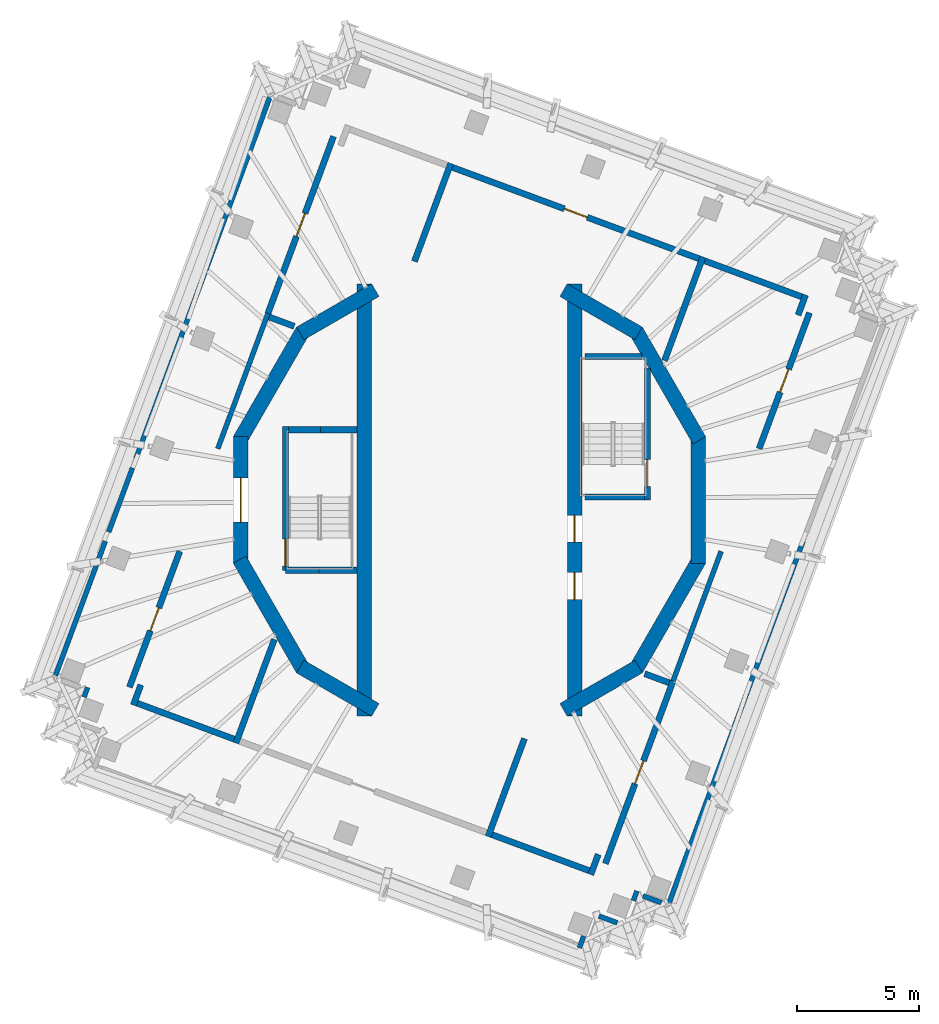
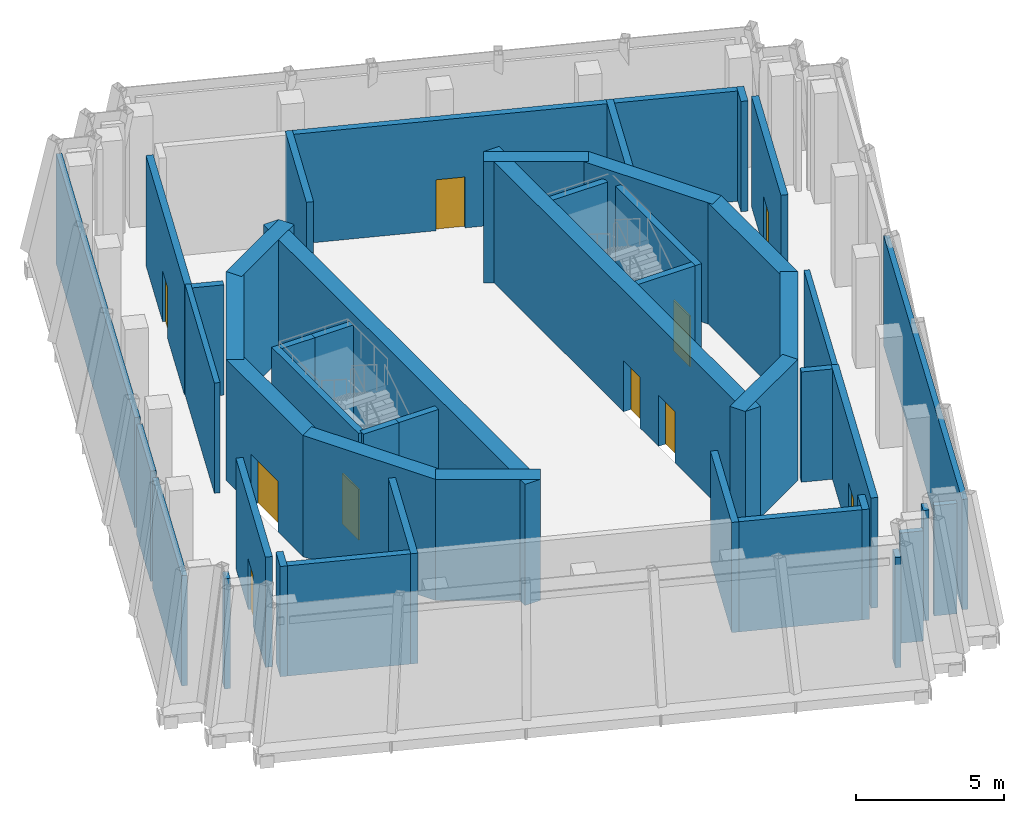
# One storey, part 5 of 13: 48 walls, 10 doors, 10 openings.
"""IFC4 building model written with IfcOpenShell, lengths in metres."""

from ifc_helpers import new_model, si_unit, direction, frame, frame_2d, origin, place, context, subcontext, project, spatial, rectangle, extrude, material, layer, layer_set, type_object, element, fill, save


model = new_model("IFC4")

# Units and contexts
model_context = context("Model", 3, precision=1e-05, world=origin(), true_north=direction((0.0, 1.0)))
body_context = subcontext(model_context, "Body", "Model", "MODEL_VIEW")
ifc_project = project(units=[si_unit("LENGTHUNIT", "METRE"), si_unit("AREAUNIT", "SQUARE_METRE"), si_unit("VOLUMEUNIT", "CUBIC_METRE"), si_unit("PLANEANGLEUNIT", "RADIAN"), si_unit("MASSUNIT", "GRAM", prefix="KILO")], contexts=[model_context])

# Site, building, storey
site_placement = place(None, origin())
site = spatial("IfcSite", under=ifc_project, at=site_placement, CompositionType="ELEMENT")
building_placement = place(site_placement, origin())
building = spatial("IfcBuilding", under=site, at=building_placement, Name="Cantera Rosa Tower", CompositionType="ELEMENT")
storey_placement = place(building_placement, frame((0.0, 0.0, 350.699951171875)))
storey = spatial("IfcBuildingStorey", under=building, at=storey_placement, Name="L79", CompositionType="ELEMENT", Elevation=350.699951171875)

# Walls
ifc_material_1 = material(Name="Masonry blockwork", Category="masonry")
ifc_layer_1 = layer(ifc_material_1, 0.199951171875)
ifc_layer_set_1 = layer_set([ifc_layer_1], Name="Blockwork partition 200")
wall_type_1 = type_object("IfcWallType", Name="Blockwork partition 200", PredefinedType="PARTITIONING", material=ifc_layer_set_1)
wall_1_placement = place(storey_placement, frame((-10.29150390625, 2.10009765625, 0.0), z_axis=(0.0, 0.0, 1.0), x_axis=(0.347467899851, 0.93769187827, 0.0)))
element("IfcWall", 1, at=wall_1_placement, inside=storey, type_object=wall_type_1, Name="Partition L79-9", PredefinedType="PARTITIONING", context=body_context, shape_type="SweptSolid", body=[
    extrude(rectangle(XDim=5.903564453125, YDim=0.199951171875, at=frame_2d((2.95166015625, 0.0))), origin(), (0.0, 0.0, 1.0), 4.550048828125),
])
wall_2_placement = place(storey_placement, frame((8.326904296875, -7.4013671875, 0.0), z_axis=(0.0, 0.0, 1.0), x_axis=(0.34749578157, 0.937681546044, 0.0)))
element("IfcWall", 2, at=wall_2_placement, inside=storey, type_object=wall_type_1, Name="Partition L79-21", PredefinedType="PARTITIONING", context=body_context, shape_type="SweptSolid", body=[
    extrude(rectangle(XDim=5.653564453125, YDim=0.199951171875, at=frame_2d((2.82666015625, 0.0))), origin(), (0.0, 0.0, 1.0), 4.550048828125),
])
wall_3_placement = place(storey_placement, frame((6.047607421875, -17.2939453125, 0.0), z_axis=(0.0, 0.0, 1.0), x_axis=(-0.937763484234, 0.347274599759, 0.0)))
element("IfcWall", 3, at=wall_3_placement, inside=storey, type_object=wall_type_1, Name="Partition L79-23", PredefinedType="PARTITIONING", context=body_context, shape_type="SweptSolid", body=[
    extrude(rectangle(XDim=0.800048828125, YDim=0.199951171875, at=frame_2d((0.39990234375, 0.0))), origin(), (0.0, 0.0, 1.0), 4.550048828125),
])
wall_4_placement = place(storey_placement, frame((4.494873046875, -18.318359375, 0.0), z_axis=(0.0, 0.0, 1.0), x_axis=(0.347391322771, 0.937720250855, 0.0)))
element("IfcWall", 4, at=wall_4_placement, inside=storey, type_object=wall_type_1, Name="Partition L79-25", PredefinedType="PARTITIONING", context=body_context, shape_type="SweptSolid", body=[
    extrude(rectangle(XDim=0.5166015625, YDim=0.199951171875, at=frame_2d((0.25830078125, 0.0))), origin(), (0.0, 0.0, 1.0), 4.550048828125),
])
wall_5_placement = place(storey_placement, frame((-15.76318359375, -8.060791015625, 0.0), z_axis=(0.0, 0.0, 1.0), x_axis=(0.347371017887, 0.937727772827, 0.0)))
element("IfcWall", 5, at=wall_5_placement, inside=storey, type_object=wall_type_1, Name="Partition L79-30", PredefinedType="PARTITIONING", context=body_context, shape_type="SweptSolid", body=[
    extrude(rectangle(XDim=0.4208984375, YDim=0.199951171875, at=frame_2d((0.21044921875, 0.0))), origin(), (0.0, 0.0, 1.0), 4.550048828125),
])
wall_6_placement = place(storey_placement, frame((7.8466796875, -16.4677734375, 0.0), z_axis=(0.0, 0.0, 1.0), x_axis=(-0.93762720555, 0.34764237862, 0.0)))
element("IfcWall", 6, at=wall_6_placement, inside=storey, type_object=wall_type_1, Name="Partition L79-32", PredefinedType="PARTITIONING", context=body_context, shape_type="SweptSolid", body=[
    extrude(rectangle(XDim=0.7998046875, YDim=0.199951171875, at=frame_2d((0.39990234375, 0.0))), origin(), (0.0, 0.0, 1.0), 4.550048828125),
])
wall_7_placement = place(storey_placement, frame((-16.9296875, -7.1796875, 0.0), z_axis=(0.0, 0.0, 1.0), x_axis=(0.347466399837, 0.937692434109, 0.0)))
element("IfcWall", 7, at=wall_7_placement, inside=storey, type_object=wall_type_1, Name="Partition L79-34", PredefinedType="PARTITIONING", context=body_context, shape_type="SweptSolid", body=[
    extrude(rectangle(XDim=5.857177734375, YDim=0.199951171875, at=frame_2d((2.9287109375, 0.0))), origin(), (0.0, 0.0, 1.0), 4.550048828125),
])
wall_8_placement = place(storey_placement, frame((-14.755615234375, -1.3125, 0.0), z_axis=(0.0, 0.0, 1.0), x_axis=(0.347527372163, 0.937669838268, 0.0)))
element("IfcWall", 8, at=wall_8_placement, inside=storey, type_object=wall_type_1, Name="Partition L79-35", PredefinedType="PARTITIONING", context=body_context, shape_type="SweptSolid", body=[
    extrude(rectangle(XDim=2.799560546875, YDim=0.199951171875, at=frame_2d((1.39990234375, 0.0))), origin(), (0.0, 0.0, 1.0), 4.550048828125),
])
wall_9_placement = place(storey_placement, frame((-13.643798828125, 1.6875, 0.0), z_axis=(0.0, 0.0, 1.0), x_axis=(0.347475662901, 0.937689001584, 0.0)))
element("IfcWall", 9, at=wall_9_placement, inside=storey, type_object=wall_type_1, Name="Partition L79-36", PredefinedType="PARTITIONING", context=body_context, shape_type="SweptSolid", body=[
    extrude(rectangle(XDim=15.773681640625, YDim=0.199951171875, at=frame_2d((7.88671875, 0.0))), origin(), (0.0, 0.0, 1.0), 4.550048828125),
])
wall_10_placement = place(storey_placement, frame((6.703857421875, -16.386474609375, 0.0), z_axis=(0.0, 0.0, 1.0), x_axis=(0.347371017887, 0.937727772827, 0.0)))
element("IfcWall", 10, at=wall_10_placement, inside=storey, type_object=wall_type_1, Name="Partition L79-42", PredefinedType="PARTITIONING", context=body_context, shape_type="SweptSolid", body=[
    extrude(rectangle(XDim=0.4208984375, YDim=0.199951171875, at=frame_2d((0.21044921875, 0.0))), origin(), (0.0, 0.0, 1.0), 4.550048828125),
])
wall_11_placement = place(storey_placement, frame((8.162841796875, -16.478271484375, 0.0), z_axis=(0.0, 0.0, 1.0), x_axis=(0.347475662901, 0.937689001584, 0.0)))
element("IfcWall", 11, at=wall_11_placement, inside=storey, type_object=wall_type_1, Name="Partition L79-44", PredefinedType="PARTITIONING", context=body_context, shape_type="SweptSolid", body=[
    extrude(rectangle(XDim=15.773681640625, YDim=0.199951171875, at=frame_2d((7.88671875, 0.0))), origin(), (0.0, 0.0, 1.0), 4.550048828125),
])
ifc_material_2 = material(Name="Masonry blockwork", Category="masonry")
ifc_layer_2 = layer(ifc_material_2, 0.25)
ifc_layer_set_2 = layer_set([ifc_layer_2], Name="Fire-rated external wall 250")
wall_type_2 = type_object("IfcWallType", Name="Fire-rated external wall 250", PredefinedType="PARTITIONING", material=ifc_layer_set_2)
wall_12_placement = place(storey_placement, frame((-7.1669921875, 7.104736328125, 0.0), z_axis=(0.0, 0.0, 1.0), x_axis=(-0.93763801142, 0.347613232689, 0.0)))
element("IfcWall", 12, at=wall_12_placement, inside=storey, type_object=wall_type_2, Name="Fire wall L79-11", PredefinedType="PARTITIONING", context=body_context, shape_type="SweptSolid", body=[
    extrude(rectangle(XDim=1.0908203125, YDim=0.25, at=frame_2d((0.54541015625, 0.0))), origin(), (0.0, 0.0, 1.0), 4.550048828125),
])
wall_13_placement = place(storey_placement, frame((8.16650390625, -7.47509765625, 0.0), z_axis=(0.0, 0.0, 1.0), x_axis=(-0.93769625556, 0.347456086879, 0.0)))
element("IfcWall", 13, at=wall_13_placement, inside=storey, type_object=wall_type_2, Name="Fire wall L79-19", PredefinedType="PARTITIONING", context=body_context, shape_type="SweptSolid", body=[
    extrude(rectangle(XDim=1.06591796875, YDim=0.25, at=frame_2d((0.532958984375, 0.0))), origin(), (0.0, 0.0, 1.0), 4.550048828125),
])
ifc_material_3 = material(Name="Masonry blockwork", Category="masonry")
ifc_layer_3 = layer(ifc_material_3, 0.25)
ifc_layer_set_3 = layer_set([ifc_layer_3], Name="Fire-rated wall 250")
wall_type_3 = type_object("IfcWallType", Name="Fire-rated wall 250", PredefinedType="PARTITIONING", material=ifc_layer_set_3)
wall_14_placement = place(storey_placement, frame((-9.54931640625, -9.941162109375, 0.0), z_axis=(0.0, 0.0, 1.0), x_axis=(0.347470822066, 0.937690795419, 0.0)))
element("IfcWall", 14, at=wall_14_placement, inside=storey, type_object=wall_type_3, Name="Fire wall L79-1", PredefinedType="PARTITIONING", context=body_context, shape_type="SweptSolid", body=[
    extrude(rectangle(XDim=4.522705078125, YDim=0.25, at=frame_2d((2.26123046875, 0.0))), origin(), (0.0, 0.0, 1.0), 4.550048828125),
])
wall_15_placement = place(storey_placement, frame((-2.2490234375, 9.75927734375, 0.0), z_axis=(0.0, 0.0, 1.0), x_axis=(0.34749310771, 0.937682536946, 0.0)))
element("IfcWall", 15, at=wall_15_placement, inside=storey, type_object=wall_type_3, Name="Fire wall L79-2", PredefinedType="PARTITIONING", context=body_context, shape_type="SweptSolid", body=[
    extrude(rectangle(XDim=4.270263671875, YDim=0.25, at=frame_2d((2.13525390625, 0.0))), origin(), (0.0, 0.0, 1.0), 4.550048828125),
])
for number, where, z_axis, x_axis, name in (
    (16, (4.887939453125, -15.157958984375, 0.0), (0.0, 0.0, 1.0), (-0.937687413065, 0.347479949607, 0.0), "Fire wall L79-3"),
    (17, (-9.623291015625, -9.780517578125, 0.0), (0.0, 0.0, 1.0), (-0.937687413065, 0.347479949607, 0.0), "Fire wall L79-5"),
):
    element("IfcWall", number, at=place(storey_placement, frame(where, z_axis=z_axis, x_axis=x_axis)), inside=storey, type_object=wall_type_3, Name=name, PredefinedType="PARTITIONING", context=body_context, shape_type="SweptSolid", body=[
        extrude(rectangle(XDim=4.225341796875, YDim=0.25, at=frame_2d((2.11279296875, 0.0))), origin(), (0.0, 0.0, 1.0), 4.550048828125),
    ])
wall_16_placement = place(storey_placement, frame((-13.74609375, -8.385986328125, 0.0), z_axis=(0.0, 0.0, 1.0), x_axis=(0.34746813681, 0.937691790463, 0.0)))
element("IfcWall", 18, at=wall_16_placement, inside=storey, type_object=wall_type_3, Name="Fire wall L79-6", PredefinedType="PARTITIONING", context=body_context, shape_type="SweptSolid", body=[
    extrude(rectangle(XDim=0.87890625, YDim=0.25, at=frame_2d((0.439453125, 0.0))), origin(), (0.0, 0.0, 1.0), 4.550048828125),
])

# Wall, opening, door
wall_17_placement = place(storey_placement, frame((-13.90673828125, -7.655517578125, 0.0), z_axis=(0.0, 0.0, 1.0), x_axis=(0.347503585526, 0.937678653936, 0.0)))
wall_17 = element("IfcWall", 19, at=wall_17_placement, inside=storey, type_object=wall_type_3, Name="Fire wall L79-8", PredefinedType="PARTITIONING", context=body_context, shape_type="SweptSolid", body=[
    extrude(rectangle(XDim=5.924560546875, YDim=0.25, at=frame_2d((2.96240234375, 0.0))), origin(), (0.0, 0.0, 1.0), 4.550048828125),
])
opening_1_placement = place(wall_17_placement, frame((2.46240234375, 0.0, 0.0)))
opening_1 = element("IfcOpeningElement", 20, at=opening_1_placement, cuts=wall_17, Name="Opening L79-001", PredefinedType="OPENING", context=body_context, shape_type="SweptSolid", body=[
    extrude(rectangle(XDim=1.0, YDim=2.10009765625, at=frame_2d((0.5, 1.050048828125))), frame((0.0, 0.135009765625, 0.0), z_axis=(0.0, -1.0, 0.0), x_axis=(1.0, 0.0, 0.0)), (0.0, 0.0, 1.0), 0.27001953125),
])
ifc_material_4 = material(Name="Steel S355J2 (EN 10025-2)", Category="steel")
door_type_1 = type_object("IfcDoorType", Name="Fire door 1000x2100", OperationType="NOTDEFINED", PredefinedType="DOOR", material=ifc_material_4)
door_1_placement = place(opening_1_placement, origin())
door_1 = element("IfcDoor", 21, at=door_1_placement, inside=storey, type_object=door_type_1, Name="Door L79-001", OverallHeight=2.10009765625, OverallWidth=1.0, PredefinedType="DOOR", context=body_context, shape_type="SweptSolid", body=[
    extrude(rectangle(XDim=1.0, YDim=2.10009765625, at=frame_2d((0.5, 1.050048828125))), frame((0.0, 0.02490234375, 0.0), z_axis=(0.0, -1.0, 0.0), x_axis=(1.0, 0.0, 0.0)), (0.0, 0.0, 1.0), 0.050048828125),
])
fill(opening_1, door_1)

wall_18_placement = place(storey_placement, frame((-8.240234375, 7.6357421875, 0.0), z_axis=(0.0, 0.0, 1.0), x_axis=(0.347489575376, 0.937683845976, 0.0)))
wall_18 = element("IfcWall", 22, at=wall_18_placement, inside=storey, type_object=wall_type_3, Name="Fire wall L79-10", PredefinedType="PARTITIONING", context=body_context, shape_type="SweptSolid", body=[
    extrude(rectangle(XDim=7.71435546875, YDim=0.25, at=frame_2d((3.857177734375, 0.0))), origin(), (0.0, 0.0, 1.0), 4.550048828125),
])
opening_2_placement = place(wall_18_placement, frame((3.357177734375, 0.0, 0.0)))
opening_2 = element("IfcOpeningElement", 23, at=opening_2_placement, cuts=wall_18, Name="Opening L79-002", PredefinedType="OPENING", context=body_context, shape_type="SweptSolid", body=[
    extrude(rectangle(XDim=1.0, YDim=2.10009765625, at=frame_2d((0.5, 1.050048828125))), frame((0.0, 0.135009765625, 0.0), z_axis=(0.0, -1.0, 0.0), x_axis=(1.0, 0.0, 0.0)), (0.0, 0.0, 1.0), 0.27001953125),
])
door_2_placement = place(opening_2_placement, origin())
door_2 = element("IfcDoor", 24, at=door_2_placement, inside=storey, type_object=door_type_1, Name="Door L79-002", OverallHeight=2.10009765625, OverallWidth=1.0, PredefinedType="DOOR", context=body_context, shape_type="SweptSolid", body=[
    extrude(rectangle(XDim=1.0, YDim=2.10009765625, at=frame_2d((0.5, 1.050048828125))), frame((0.0, 0.02490234375, 0.0), z_axis=(0.0, -1.0, 0.0), x_axis=(1.0, 0.0, 0.0)), (0.0, 0.0, 1.0), 0.050048828125),
])
fill(opening_2, door_2)

# Wall
wall_19_placement = place(storey_placement, frame((13.58544921875, 8.312255859375, 0.0), z_axis=(0.0, 0.0, 1.0), x_axis=(-0.937687413065, 0.347479949607, 0.0)))
element("IfcWall", 25, at=wall_19_placement, inside=storey, type_object=wall_type_3, Name="Fire wall L79-12", PredefinedType="PARTITIONING", context=body_context, shape_type="SweptSolid", body=[
    extrude(rectangle(XDim=4.225341796875, YDim=0.25, at=frame_2d((2.11279296875, 0.0))), origin(), (0.0, 0.0, 1.0), 4.550048828125),
])

# Wall, opening, door
wall_20_placement = place(storey_placement, frame((9.388916015625, 9.867431640625, 0.0), z_axis=(0.0, 0.0, 1.0), x_axis=(-0.937691218406, 0.347469680583, 0.0)))
wall_20 = element("IfcWall", 26, at=wall_20_placement, inside=storey, type_object=wall_type_3, Name="Fire wall L79-13", PredefinedType="PARTITIONING", context=body_context, shape_type="SweptSolid", body=[
    extrude(rectangle(XDim=10.750244140625, YDim=0.25, at=frame_2d((5.375, 0.0))), origin(), (0.0, 0.0, 1.0), 4.550048828125),
])
opening_3_placement = place(wall_20_placement, frame((4.875, 0.0, 0.0)))
opening_3 = element("IfcOpeningElement", 27, at=opening_3_placement, cuts=wall_20, Name="Opening L79-003", PredefinedType="OPENING", context=body_context, shape_type="SweptSolid", body=[
    extrude(rectangle(XDim=1.0, YDim=2.10009765625, at=frame_2d((0.5, 1.050048828125))), frame((0.0, 0.135009765625, 0.0), z_axis=(0.0, -1.0, 0.0), x_axis=(1.0, 0.0, 0.0)), (0.0, 0.0, 1.0), 0.27001953125),
])
door_3_placement = place(opening_3_placement, origin())
door_3 = element("IfcDoor", 28, at=door_3_placement, inside=storey, type_object=door_type_1, Name="Door L79-003", OverallHeight=2.10009765625, OverallWidth=1.0, PredefinedType="DOOR", context=body_context, shape_type="SweptSolid", body=[
    extrude(rectangle(XDim=1.0, YDim=2.10009765625, at=frame_2d((0.5, 1.050048828125))), frame((0.0, 0.02490234375, 0.0), z_axis=(0.0, -1.0, 0.0), x_axis=(1.0, 0.0, 0.0)), (0.0, 0.0, 1.0), 0.050048828125),
])
fill(opening_3, door_3)

# Walls
wall_21_placement = place(storey_placement, frame((0.76513671875, -13.763427734375, 0.0), z_axis=(0.0, 0.0, 1.0), x_axis=(0.34749310771, 0.937682536946, 0.0)))
element("IfcWall", 29, at=wall_21_placement, inside=storey, type_object=wall_type_3, Name="Fire wall L79-15", PredefinedType="PARTITIONING", context=body_context, shape_type="SweptSolid", body=[
    extrude(rectangle(XDim=4.270263671875, YDim=0.25, at=frame_2d((2.13525390625, 0.0))), origin(), (0.0, 0.0, 1.0), 4.550048828125),
])
wall_22_placement = place(storey_placement, frame((7.977783203125, 5.7001953125, 0.0), z_axis=(0.0, 0.0, 1.0), x_axis=(0.347470822066, 0.937690795419, 0.0)))
element("IfcWall", 30, at=wall_22_placement, inside=storey, type_object=wall_type_3, Name="Fire wall L79-16", PredefinedType="PARTITIONING", context=body_context, shape_type="SweptSolid", body=[
    extrude(rectangle(XDim=4.522705078125, YDim=0.25, at=frame_2d((2.26123046875, 0.0))), origin(), (0.0, 0.0, 1.0), 4.550048828125),
])
for number, where, z_axis, x_axis, name in (
    (31, (4.961669921875, -15.318603515625, 0.0), (0.0, 0.0, 1.0), (0.34746813681, 0.937691790463, 0.0), "Fire wall L79-17"),
    (32, (13.440673828125, 7.561767578125, 0.0), (0.0, 0.0, 1.0), (0.34746813681, 0.937691790463, 0.0), "Fire wall L79-18"),
):
    element("IfcWall", number, at=place(storey_placement, frame(where, z_axis=z_axis, x_axis=x_axis)), inside=storey, type_object=wall_type_3, Name=name, PredefinedType="PARTITIONING", context=body_context, shape_type="SweptSolid", body=[
        extrude(rectangle(XDim=0.87890625, YDim=0.25, at=frame_2d((0.439453125, 0.0))), origin(), (0.0, 0.0, 1.0), 4.550048828125),
    ])

# Wall, opening, door
wall_23_placement = place(storey_placement, frame((5.5595703125, -14.869384765625, 0.0), z_axis=(0.0, 0.0, 1.0), x_axis=(0.347469102856, 0.937691432488, 0.0)))
wall_23 = element("IfcWall", 33, at=wall_23_placement, inside=storey, type_object=wall_type_3, Name="Fire wall L79-20", PredefinedType="PARTITIONING", context=body_context, shape_type="SweptSolid", body=[
    extrude(rectangle(XDim=7.96435546875, YDim=0.25, at=frame_2d((3.982177734375, 0.0))), origin(), (0.0, 0.0, 1.0), 4.550048828125),
])
opening_4_placement = place(wall_23_placement, frame((3.482177734375, 0.0, 0.0)))
opening_4 = element("IfcOpeningElement", 34, at=opening_4_placement, cuts=wall_23, Name="Opening L79-004", PredefinedType="OPENING", context=body_context, shape_type="SweptSolid", body=[
    extrude(rectangle(XDim=1.0, YDim=2.10009765625, at=frame_2d((0.5, 1.050048828125))), frame((0.0, 0.135009765625, 0.0), z_axis=(0.0, -1.0, 0.0), x_axis=(1.0, 0.0, 0.0)), (0.0, 0.0, 1.0), 0.27001953125),
])
door_4_placement = place(opening_4_placement, origin())
door_4 = element("IfcDoor", 35, at=door_4_placement, inside=storey, type_object=door_type_1, Name="Door L79-004", OverallHeight=2.10009765625, OverallWidth=1.0, PredefinedType="DOOR", context=body_context, shape_type="SweptSolid", body=[
    extrude(rectangle(XDim=1.0, YDim=2.10009765625, at=frame_2d((0.5, 1.050048828125))), frame((0.0, 0.02490234375, 0.0), z_axis=(0.0, -1.0, 0.0), x_axis=(1.0, 0.0, 0.0)), (0.0, 0.0, 1.0), 0.050048828125),
])
fill(opening_4, door_4)

wall_24_placement = place(storey_placement, frame((11.847900390625, 2.10009765625, 0.0), z_axis=(0.0, 0.0, 1.0), x_axis=(0.347503585526, 0.937678653936, 0.0)))
wall_24 = element("IfcWall", 36, at=wall_24_placement, inside=storey, type_object=wall_type_3, Name="Fire wall L79-22", PredefinedType="PARTITIONING", context=body_context, shape_type="SweptSolid", body=[
    extrude(rectangle(XDim=5.924560546875, YDim=0.25, at=frame_2d((2.96240234375, 0.0))), origin(), (0.0, 0.0, 1.0), 4.550048828125),
])
opening_5_placement = place(wall_24_placement, frame((2.46240234375, 0.0, 0.0)))
opening_5 = element("IfcOpeningElement", 37, at=opening_5_placement, cuts=wall_24, Name="Opening L79-005", PredefinedType="OPENING", context=body_context, shape_type="SweptSolid", body=[
    extrude(rectangle(XDim=1.0, YDim=2.10009765625, at=frame_2d((0.5, 1.050048828125))), frame((0.0, 0.135009765625, 0.0), z_axis=(0.0, -1.0, 0.0), x_axis=(1.0, 0.0, 0.0)), (0.0, 0.0, 1.0), 0.27001953125),
])
door_5_placement = place(opening_5_placement, origin())
door_5 = element("IfcDoor", 38, at=door_5_placement, inside=storey, type_object=door_type_1, Name="Door L79-005", OverallHeight=2.10009765625, OverallWidth=1.0, PredefinedType="DOOR", context=body_context, shape_type="SweptSolid", body=[
    extrude(rectangle(XDim=1.0, YDim=2.10009765625, at=frame_2d((0.5, 1.050048828125))), frame((0.0, 0.02490234375, 0.0), z_axis=(0.0, -1.0, 0.0), x_axis=(1.0, 0.0, 0.0)), (0.0, 0.0, 1.0), 0.050048828125),
])
fill(opening_5, door_5)

# Walls
ifc_material_5 = material(Name="Concrete C50/60", Category="concrete")
ifc_layer_4 = layer(ifc_material_5, 0.60009765625)
ifc_layer_set_4 = layer_set([ifc_layer_4], Name="RC CORE WALL 600 C50/60")
wall_type_4 = type_object("IfcWallType", Name="RC CORE WALL 600 C50/60", PredefinedType="SHEAR", material=ifc_layer_set_4)
wall_25_placement = place(storey_placement, frame((-3.85009765625, -8.584228515625, 0.0), z_axis=(0.0, 0.0, 1.0), x_axis=(-0.866039982607, 0.499974747889, 0.0)))
element("IfcWall", 39, at=wall_25_placement, inside=storey, type_object=wall_type_4, Name="CW-W1 L79", PredefinedType="SHEAR", context=body_context, shape_type="SweptSolid", body=[
    extrude(rectangle(XDim=3.546142578125, YDim=0.60009765625, at=frame_2d((1.77294921875, 0.0))), origin(), (0.0, 0.0, 1.0), 5.0),
])
wall_26_placement = place(storey_placement, frame((-6.811279296875, -6.921142578125, 0.0), z_axis=(0.0, 0.0, 1.0), x_axis=(-0.499989188378, 0.866031645787, 0.0)))
element("IfcWall", 40, at=wall_26_placement, inside=storey, type_object=wall_type_4, Name="CW-W2 L79", PredefinedType="SHEAR", context=body_context, shape_type="SweptSolid", body=[
    extrude(rectangle(XDim=5.17626953125, YDim=0.60009765625, at=frame_2d((2.588134765625, 0.0))), origin(), (0.0, 0.0, 1.0), 5.0),
])

# Wall, opening, door
wall_27_placement = place(storey_placement, frame((-9.359375, -2.588134765625, 0.0), z_axis=(0.0, 0.0, 1.0), x_axis=(0.0, 1.0, 0.0)))
wall_27 = element("IfcWall", 41, at=wall_27_placement, inside=storey, type_object=wall_type_4, Name="CW-W3 L79", PredefinedType="SHEAR", context=body_context, shape_type="SweptSolid", body=[
    extrude(rectangle(XDim=5.17626953125, YDim=0.60009765625, at=frame_2d((2.588134765625, 0.0))), origin(), (0.0, 0.0, 1.0), 5.0),
])
opening_6_placement = place(wall_27_placement, frame((1.688232421875, 0.0, 0.0)))
opening_6 = element("IfcOpeningElement", 42, at=opening_6_placement, cuts=wall_27, Name="Opening L79-ST-71-L", PredefinedType="OPENING", context=body_context, shape_type="SweptSolid", body=[
    extrude(rectangle(XDim=1.800048828125, YDim=2.10009765625, at=frame_2d((0.89990234375, 1.050048828125))), frame((0.0, 0.31005859375, 0.0), z_axis=(0.0, -1.0, 0.0), x_axis=(1.0, 0.0, 0.0)), (0.0, 0.0, 1.0), 0.6201171875),
])
ifc_material_6 = material(Name="Steel S355J2 (EN 10025-2)", Category="steel")
door_type_2 = type_object("IfcDoorType", Name="FIRE DOOR 1800x2100", OperationType="NOTDEFINED", PredefinedType="DOOR", material=ifc_material_6)
door_6_placement = place(opening_6_placement, origin())
door_6 = element("IfcDoor", 43, at=door_6_placement, inside=storey, type_object=door_type_2, Name="DOOR L79-ST-71-L", OperationType="NOTDEFINED", OverallHeight=2.10009765625, OverallWidth=1.800048828125, PredefinedType="DOOR", context=body_context, shape_type="SweptSolid", body=[
    extrude(rectangle(XDim=1.800048828125, YDim=2.10009765625, at=frame_2d((0.89990234375, 1.050048828125))), frame((0.0, 0.02490234375, 0.0), z_axis=(0.0, -1.0, 0.0), x_axis=(1.0, 0.0, 0.0)), (0.0, 0.0, 1.0), 0.050048828125),
])
fill(opening_6, door_6)

# Walls
wall_28_placement = place(storey_placement, frame((-9.3994140625, 2.438232421875, 0.0), z_axis=(0.0, 0.0, 1.0), x_axis=(0.499989188378, 0.866031645787, 0.0)))
element("IfcWall", 44, at=wall_28_placement, inside=storey, type_object=wall_type_4, Name="CW-W4 L79", PredefinedType="SHEAR", context=body_context, shape_type="SweptSolid", body=[
    extrude(rectangle(XDim=5.17626953125, YDim=0.60009765625, at=frame_2d((2.588134765625, 0.0))), origin(), (0.0, 0.0, 1.0), 5.0),
])
wall_29_placement = place(storey_placement, frame((-6.921142578125, 6.811279296875, 0.0), z_axis=(0.0, 0.0, 1.0), x_axis=(0.866039982607, 0.499974747889, 0.0)))
element("IfcWall", 45, at=wall_29_placement, inside=storey, type_object=wall_type_4, Name="CW-W5 L79", PredefinedType="SHEAR", context=body_context, shape_type="SweptSolid", body=[
    extrude(rectangle(XDim=3.546142578125, YDim=0.60009765625, at=frame_2d((1.77294921875, 0.0))), origin(), (0.0, 0.0, 1.0), 5.0),
])
wall_30_placement = place(storey_placement, frame((-4.300048828125, 8.84423828125, 0.0), z_axis=(0.0, 0.0, 1.0), x_axis=(0.0, -1.0, 0.0)))
element("IfcWall", 46, at=wall_30_placement, inside=storey, type_object=wall_type_4, Name="CW-W6 L79", PredefinedType="SHEAR", context=body_context, shape_type="SweptSolid", body=[
    extrude(rectangle(XDim=17.6884765625, YDim=0.60009765625, at=frame_2d((8.84423828125, 0.0))), origin(), (0.0, 0.0, 1.0), 5.0),
])
wall_31_placement = place(storey_placement, frame((3.85009765625, 8.584228515625, 0.0), z_axis=(0.0, 0.0, 1.0), x_axis=(0.866039982607, -0.499974747889, 0.0)))
element("IfcWall", 47, at=wall_31_placement, inside=storey, type_object=wall_type_4, Name="CW-E1 L79", PredefinedType="SHEAR", context=body_context, shape_type="SweptSolid", body=[
    extrude(rectangle(XDim=3.546142578125, YDim=0.60009765625, at=frame_2d((1.77294921875, 0.0))), origin(), (0.0, 0.0, 1.0), 5.0),
])
for number, where, z_axis, x_axis, name in (
    (48, (6.811279296875, 6.921142578125, 0.0), (0.0, 0.0, 1.0), (0.499989188378, -0.866031645787, 0.0), "CW-E2 L79"),
    (49, (9.359375, 2.588134765625, 0.0), (0.0, 0.0, 1.0), (0.0, -1.0, 0.0), "CW-E3 L79"),
    (50, (9.3994140625, -2.438232421875, 0.0), (0.0, 0.0, 1.0), (-0.499989188378, -0.866031645787, 0.0), "CW-E4 L79"),
):
    element("IfcWall", number, at=place(storey_placement, frame(where, z_axis=z_axis, x_axis=x_axis)), inside=storey, type_object=wall_type_4, Name=name, PredefinedType="SHEAR", context=body_context, shape_type="SweptSolid", body=[
        extrude(rectangle(XDim=5.17626953125, YDim=0.60009765625, at=frame_2d((2.588134765625, 0.0))), origin(), (0.0, 0.0, 1.0), 5.0),
    ])
wall_32_placement = place(storey_placement, frame((6.921142578125, -6.811279296875, 0.0), z_axis=(0.0, 0.0, 1.0), x_axis=(-0.866039982607, -0.499974747889, 0.0)))
element("IfcWall", 51, at=wall_32_placement, inside=storey, type_object=wall_type_4, Name="CW-E5 L79", PredefinedType="SHEAR", context=body_context, shape_type="SweptSolid", body=[
    extrude(rectangle(XDim=3.546142578125, YDim=0.60009765625, at=frame_2d((1.77294921875, 0.0))), origin(), (0.0, 0.0, 1.0), 5.0),
])

# Wall, openings, doors
wall_33_placement = place(storey_placement, frame((4.300048828125, -8.84423828125, 0.0), z_axis=(0.0, 0.0, 1.0), x_axis=(0.0, 1.0, 0.0)))
wall_33 = element("IfcWall", 52, at=wall_33_placement, inside=storey, type_object=wall_type_4, Name="CW-E6 L79", PredefinedType="SHEAR", context=body_context, shape_type="SweptSolid", body=[
    extrude(rectangle(XDim=17.6884765625, YDim=0.60009765625, at=frame_2d((8.84423828125, 0.0))), origin(), (0.0, 0.0, 1.0), 5.0),
])
opening_7_placement = place(wall_33_placement, frame((4.76904296875, 0.0, 0.0)))
opening_7 = element("IfcOpeningElement", 53, at=opening_7_placement, cuts=wall_33, Name="Opening LD-FF1-L79", PredefinedType="OPENING", context=body_context, shape_type="SweptSolid", body=[
    extrude(rectangle(XDim=1.10009765625, YDim=2.10009765625, at=frame_2d((0.550048828125, 1.050048828125))), frame((0.0, 0.31005859375, 0.0), z_axis=(0.0, -1.0, 0.0), x_axis=(1.0, 0.0, 0.0)), (0.0, 0.0, 1.0), 0.6201171875),
])
opening_8_placement = place(wall_33_placement, frame((7.119140625, 0.0, 0.0)))
opening_8 = element("IfcOpeningElement", 54, at=opening_8_placement, cuts=wall_33, Name="Opening LD-FF2-L79", PredefinedType="OPENING", context=body_context, shape_type="SweptSolid", body=[
    extrude(rectangle(XDim=1.10009765625, YDim=2.10009765625, at=frame_2d((0.550048828125, 1.050048828125))), frame((0.0, 0.31005859375, 0.0), z_axis=(0.0, -1.0, 0.0), x_axis=(1.0, 0.0, 0.0)), (0.0, 0.0, 1.0), 0.6201171875),
])
ifc_material_7 = material(Name="Steel S355J2 (EN 10025-2)", Category="steel")
door_type_3 = type_object("IfcDoorType", Name="LANDING DOOR 1100x2100", OperationType="NOTDEFINED", PredefinedType="DOOR", material=ifc_material_7)
door_7_placement = place(opening_7_placement, origin())
door_7 = element("IfcDoor", 55, at=door_7_placement, inside=storey, type_object=door_type_3, Name="LANDING DOOR FF1 L79", OperationType="SLIDING_TO_LEFT", OverallHeight=2.10009765625, OverallWidth=1.10009765625, PredefinedType="DOOR", context=body_context, shape_type="SweptSolid", body=[
    extrude(rectangle(XDim=1.10009765625, YDim=2.10009765625, at=frame_2d((0.550048828125, 1.050048828125))), frame((0.0, 0.02490234375, 0.0), z_axis=(0.0, -1.0, 0.0), x_axis=(1.0, 0.0, 0.0)), (0.0, 0.0, 1.0), 0.050048828125),
])
fill(opening_7, door_7)
door_8_placement = place(opening_8_placement, origin())
door_8 = element("IfcDoor", 56, at=door_8_placement, inside=storey, type_object=door_type_3, Name="LANDING DOOR FF2 L79", OperationType="SLIDING_TO_LEFT", OverallHeight=2.10009765625, OverallWidth=1.10009765625, PredefinedType="DOOR", context=body_context, shape_type="SweptSolid", body=[
    extrude(rectangle(XDim=1.10009765625, YDim=2.10009765625, at=frame_2d((0.550048828125, 1.050048828125))), frame((0.0, 0.02490234375, 0.0), z_axis=(0.0, -1.0, 0.0), x_axis=(1.0, 0.0, 0.0)), (0.0, 0.0, 1.0), 0.050048828125),
])
fill(opening_8, door_8)

# Wall, opening, door
ifc_material_8 = material(Name="Concrete C50/60", Category="concrete")
ifc_layer_5 = layer(ifc_material_8, 0.25)
ifc_layer_set_5 = layer_set([ifc_layer_5], Name="STAIR WALL 250 H4550")
wall_type_5 = type_object("IfcWallType", Name="STAIR WALL 250 H4550", PredefinedType="SOLIDWALL", material=ifc_layer_set_5)
wall_34_placement = place(storey_placement, frame((-7.52490234375, -2.875, 0.0), z_axis=(0.0, 0.0, 1.0), x_axis=(0.0, 1.0, 0.0)))
wall_34 = element("IfcWall", 57, at=wall_34_placement, inside=storey, type_object=wall_type_5, Name="STAIR WALL ST-71 L79-1", PredefinedType="SOLIDWALL", context=body_context, shape_type="SweptSolid", body=[
    extrude(rectangle(XDim=5.875, YDim=0.25, at=frame_2d((2.9375, 0.0))), origin(), (0.0, 0.0, 1.0), 4.550048828125),
])
opening_9_placement = place(wall_34_placement, frame((0.175048828125, 0.0, 0.0)))
opening_9 = element("IfcOpeningElement", 58, at=opening_9_placement, cuts=wall_34, Name="Opening L79-ST-71", PredefinedType="OPENING", context=body_context, shape_type="SweptSolid", body=[
    extrude(rectangle(XDim=1.10009765625, YDim=2.10009765625, at=frame_2d((0.550048828125, 1.050048828125))), frame((0.0, 0.135009765625, 0.0), z_axis=(0.0, -1.0, 0.0), x_axis=(1.0, 0.0, 0.0)), (0.0, 0.0, 1.0), 0.27001953125),
])
ifc_material_9 = material(Name="Steel S355J2 (EN 10025-2)", Category="steel")
door_type_4 = type_object("IfcDoorType", Name="STAIR DOOR 1100x2100", OperationType="NOTDEFINED", PredefinedType="DOOR", material=ifc_material_9)
door_9_placement = place(opening_9_placement, origin())
door_9 = element("IfcDoor", 59, at=door_9_placement, inside=storey, type_object=door_type_4, Name="DOOR L79-ST-71", OperationType="NOTDEFINED", OverallHeight=2.10009765625, OverallWidth=1.10009765625, PredefinedType="DOOR", context=body_context, shape_type="SweptSolid", body=[
    extrude(rectangle(XDim=1.10009765625, YDim=2.10009765625, at=frame_2d((0.550048828125, 1.050048828125))), frame((0.0, 0.02490234375, 0.0), z_axis=(0.0, -1.0, 0.0), x_axis=(1.0, 0.0, 0.0)), (0.0, 0.0, 1.0), 0.050048828125),
])
fill(opening_9, door_9)

# Walls
wall_35_placement = place(storey_placement, frame((-7.39990234375, 2.875, 0.0), z_axis=(0.0, 0.0, 1.0), x_axis=(1.0, 0.0, 0.0)))
element("IfcWall", 60, at=wall_35_placement, inside=storey, type_object=wall_type_5, Name="STAIR WALL ST-71 L79-2", PredefinedType="SOLIDWALL", context=body_context, shape_type="SweptSolid", body=[
    extrude(rectangle(XDim=1.2998046875, YDim=0.25, at=frame_2d((0.64990234375, 0.0))), origin(), (0.0, 0.0, 1.0), 4.550048828125),
])
wall_36_placement = place(storey_placement, frame((-4.60009765625, -2.875, 0.0), z_axis=(0.0, 0.0, 1.0), x_axis=(-1.0, 0.0, 0.0)))
element("IfcWall", 61, at=wall_36_placement, inside=storey, type_object=wall_type_5, Name="STAIR WALL ST-71 L79-3", PredefinedType="SOLIDWALL", context=body_context, shape_type="SweptSolid", body=[
    extrude(rectangle(XDim=1.5498046875, YDim=0.25, at=frame_2d((0.77490234375, 0.0))), origin(), (0.0, 0.0, 1.0), 4.550048828125),
])
wall_37_placement = place(storey_placement, frame((4.72509765625, 5.875, 0.0), z_axis=(0.0, 0.0, 1.0), x_axis=(1.0, 0.0, 0.0)))
element("IfcWall", 62, at=wall_37_placement, inside=storey, type_object=wall_type_5, Name="STAIR WALL ST-72 L79-1", PredefinedType="SOLIDWALL", context=body_context, shape_type="SweptSolid", body=[
    extrude(rectangle(XDim=2.324462890625, YDim=0.25, at=frame_2d((1.162109375, 0.0))), origin(), (0.0, 0.0, 1.0), 4.550048828125),
])

# Wall, opening, door
wall_38_placement = place(storey_placement, frame((7.27490234375, 5.40087890625, 0.0), z_axis=(0.0, 0.0, 1.0), x_axis=(0.0, -1.0, 0.0)))
wall_38 = element("IfcWall", 63, at=wall_38_placement, inside=storey, type_object=wall_type_5, Name="STAIR WALL ST-72 L79-2", PredefinedType="SOLIDWALL", context=body_context, shape_type="SweptSolid", body=[
    extrude(rectangle(XDim=5.40087890625, YDim=0.25, at=frame_2d((2.700439453125, 0.0))), origin(), (0.0, 0.0, 1.0), 4.550048828125),
])
opening_10_placement = place(wall_38_placement, frame((3.7509765625, 0.0, 0.0)))
opening_10 = element("IfcOpeningElement", 64, at=opening_10_placement, cuts=wall_38, Name="Opening L79-ST-72", PredefinedType="OPENING", context=body_context, shape_type="SweptSolid", body=[
    extrude(rectangle(XDim=1.10009765625, YDim=2.10009765625, at=frame_2d((0.550048828125, 1.050048828125))), frame((0.0, 0.135009765625, 0.0), z_axis=(0.0, -1.0, 0.0), x_axis=(1.0, 0.0, 0.0)), (0.0, 0.0, 1.0), 0.27001953125),
])
door_10_placement = place(opening_10_placement, origin())
door_10 = element("IfcDoor", 65, at=door_10_placement, inside=storey, type_object=door_type_4, Name="DOOR L79-ST-72", OperationType="NOTDEFINED", OverallHeight=2.10009765625, OverallWidth=1.10009765625, PredefinedType="DOOR", context=body_context, shape_type="SweptSolid", body=[
    extrude(rectangle(XDim=1.10009765625, YDim=2.10009765625, at=frame_2d((0.550048828125, 1.050048828125))), frame((0.0, 0.02490234375, 0.0), z_axis=(0.0, -1.0, 0.0), x_axis=(1.0, 0.0, 0.0)), (0.0, 0.0, 1.0), 0.050048828125),
])
fill(opening_10, door_10)

# Walls
wall_39_placement = place(storey_placement, frame((7.14990234375, 0.125, 0.0), z_axis=(0.0, 0.0, 1.0), x_axis=(-1.0, 0.0, 0.0)))
element("IfcWall", 66, at=wall_39_placement, inside=storey, type_object=wall_type_5, Name="STAIR WALL ST-72 L79-3", PredefinedType="SOLIDWALL", context=body_context, shape_type="SweptSolid", body=[
    extrude(rectangle(XDim=2.4248046875, YDim=0.25, at=frame_2d((1.21240234375, 0.0))), origin(), (0.0, 0.0, 1.0), 4.550048828125),
])
wall_40_placement = place(storey_placement, frame((-6.10009765625, 2.875, 0.0), z_axis=(0.0, 0.0, 1.0), x_axis=(1.0, 0.0, 0.0)))
element("IfcWall", 67, at=wall_40_placement, inside=storey, type_object=wall_type_5, Name="STAIR WALL ST-71 L79-2 J", PredefinedType="SOLIDWALL", context=body_context, shape_type="SweptSolid", body=[
    extrude(rectangle(XDim=1.5, YDim=0.25, at=frame_2d((0.75, 0.0))), origin(), (0.0, 0.0, 1.0), 4.550048828125),
])
wall_41_placement = place(storey_placement, frame((-6.14990234375, -2.875, 0.0), z_axis=(0.0, 0.0, 1.0), x_axis=(-1.0, 0.0, 0.0)))
element("IfcWall", 68, at=wall_41_placement, inside=storey, type_object=wall_type_5, Name="STAIR WALL ST-71 L79-3 J", PredefinedType="SOLIDWALL", context=body_context, shape_type="SweptSolid", body=[
    extrude(rectangle(XDim=1.375, YDim=0.25, at=frame_2d((0.6875, 0.0))), origin(), (0.0, 0.0, 1.0), 4.550048828125),
])

save(model, "model.ifc")
